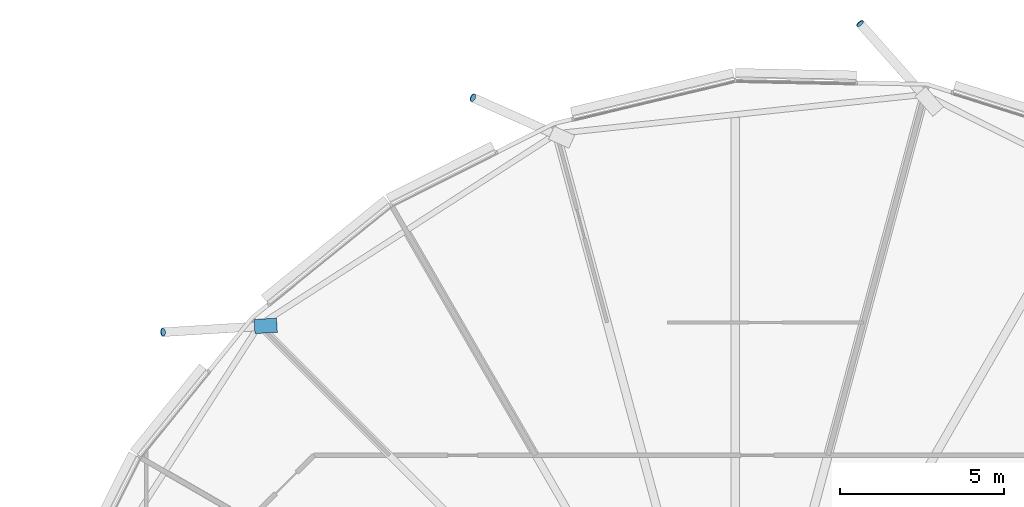
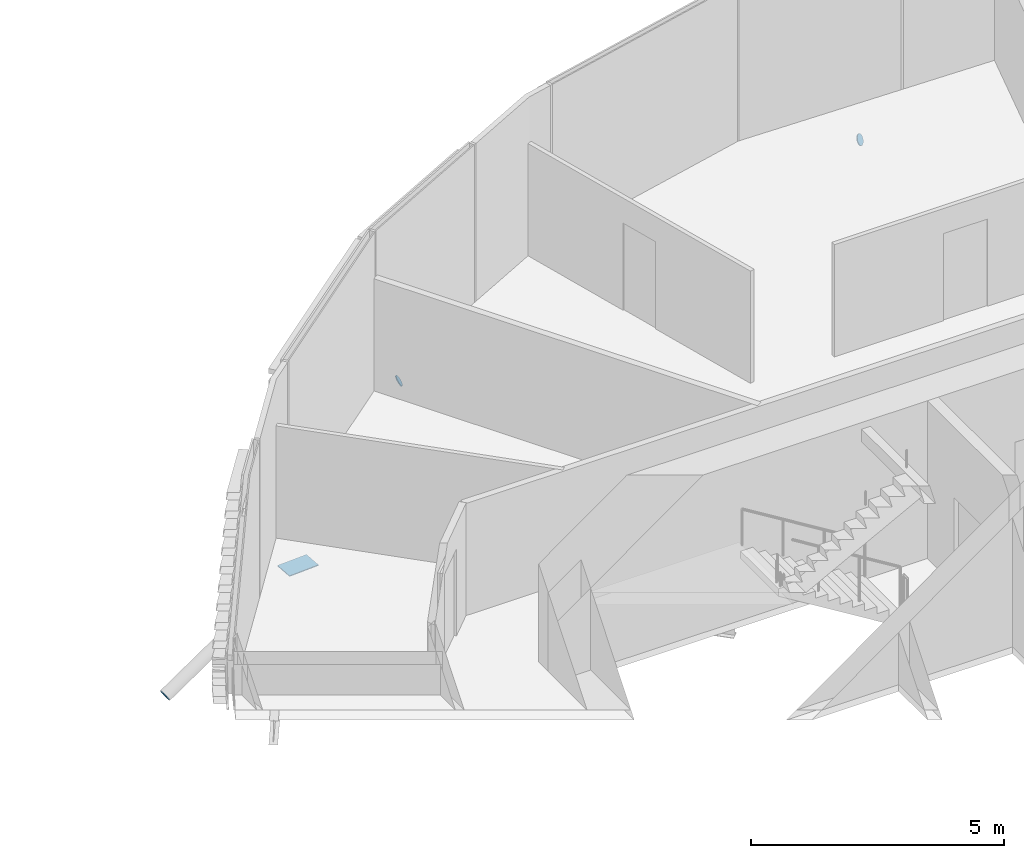
# One storey, part 33 of 39: 4 discrete accessories.
"""IFC4 building model written with IfcOpenShell, lengths in metres."""

from ifc_helpers import new_model, si_unit, direction, frame, origin, origin_2d, place, context, subcontext, project, spatial, polyline, rectangle, circle, outline, extrude, material, material_profile, profile_set, type_object, element, save


model = new_model("IFC4")

# Units and contexts
model_context = context("Model", 3, precision=1e-05, world=origin(), true_north=direction((0.0, 1.0)))
body_context = subcontext(model_context, "Body", "Model", "MODEL_VIEW")
ifc_project = project(units=[si_unit("LENGTHUNIT", "METRE"), si_unit("AREAUNIT", "SQUARE_METRE"), si_unit("VOLUMEUNIT", "CUBIC_METRE"), si_unit("PLANEANGLEUNIT", "RADIAN"), si_unit("MASSUNIT", "GRAM", prefix="KILO")], contexts=[model_context])

# Site, building, storey
site_placement = place(None, origin())
site = spatial("IfcSite", under=ifc_project, at=site_placement, CompositionType="ELEMENT")
building_placement = place(site_placement, origin())
building = spatial("IfcBuilding", under=site, at=building_placement, Name="Rimbun Link Towers", CompositionType="ELEMENT")
storey_placement = place(building_placement, frame((0.0, 0.0, 112.0)))
storey = spatial("IfcBuildingStorey", under=building, at=storey_placement, Name="L27", CompositionType="ELEMENT", Elevation=112.0)

# Discrete accessories
ifc_material_1 = material(Name="Steel S355J2H", Category="steel")
ifc_material_profile_1 = material_profile(ifc_material_1, circle(Radius=0.1240234375, at=origin_2d()), Name="PL D248")
ifc_profile_set_1 = profile_set([ifc_material_profile_1], Name="Steel S355J2H")
discrete_accessory_type_1 = type_object("IfcDiscreteAccessoryType", Name="Link foot sealing plate D248X20", PredefinedType="BRACKET", material=ifc_profile_set_1)
discrete_accessory_1_placement = place(storey_placement, frame((35.559814453125, 23.714111328125, -2.38037109375), z_axis=(-0.60971076085, 0.682876052152, -0.402409102161), x_axis=(-0.745937661626, -0.666015769309, 0.0)))
element("IfcDiscreteAccessory", 1, at=discrete_accessory_1_placement, inside=storey, type_object=discrete_accessory_type_1, Name="Link foot sealing plate T2 L27 02", PredefinedType="BRACKET", context=body_context, shape_type="SweptSolid", body=[
    extrude(circle(Radius=0.1240234375, at=origin_2d()), origin(), (0.0, 0.0, 1.0), 0.02001953125),
])
discrete_accessory_2_placement = place(storey_placement, frame((23.75048828125, 21.453125, -2.681640625), z_axis=(-0.775358923444, 0.344603965975, -0.529213233461), x_axis=(-0.406138466053, -0.91381154862, 0.0)))
element("IfcDiscreteAccessory", 2, at=discrete_accessory_2_placement, inside=storey, type_object=discrete_accessory_type_1, Name="Link foot sealing plate T2 L27 04", PredefinedType="BRACKET", context=body_context, shape_type="SweptSolid", body=[
    extrude(circle(Radius=0.1240234375, at=origin_2d()), origin(), (0.0, 0.0, 1.0), 0.019775390625),
])
discrete_accessory_3_placement = place(storey_placement, frame((14.298095703125, 14.30419921875, -2.611328125), z_axis=(-0.851067761152, -0.048632443494, -0.522798767565), x_axis=(0.057049790539, -0.998371334424, 0.0)))
element("IfcDiscreteAccessory", 3, at=discrete_accessory_3_placement, inside=storey, type_object=discrete_accessory_type_1, Name="Link foot sealing plate T2 L27 06", PredefinedType="BRACKET", context=body_context, shape_type="SweptSolid", body=[
    extrude(circle(Radius=0.1240234375, at=origin_2d()), origin(), (0.0, 0.0, 1.0), 0.02001953125),
])
ifc_material_2 = material(Name="Steel S355J2H", Category="steel")
ifc_material_profile_2 = material_profile(ifc_material_2, rectangle(XDim=0.43310546875, YDim=0.43310546875, at=origin_2d()), Name="PL 433x433")
ifc_profile_set_2 = profile_set([ifc_material_profile_2], Name="Steel S355J2H")
discrete_accessory_type_2 = type_object("IfcDiscreteAccessoryType", Name="Link head end plate 433X20", PredefinedType="BRACKET", material=ifc_profile_set_2)
discrete_accessory_4_placement = place(storey_placement, frame((0.0, 0.0, -0.713134765625)))
element("IfcDiscreteAccessory", 4, at=discrete_accessory_4_placement, inside=storey, type_object=discrete_accessory_type_2, Name="Link head end plate T2 L27 06", PredefinedType="BRACKET", context=body_context, shape_type="SweptSolid", body=[
    extrude(outline(polyline([(17.752685546875, 14.733154296875), (17.0673828125, 14.691162109375), (17.09375, 14.259033203125), (17.779052734375, 14.301025390625), (17.752685546875, 14.733154296875)])), origin(), (0.0, 0.0, 1.0), 0.02001953125),
])

save(model, "model.ifc")
